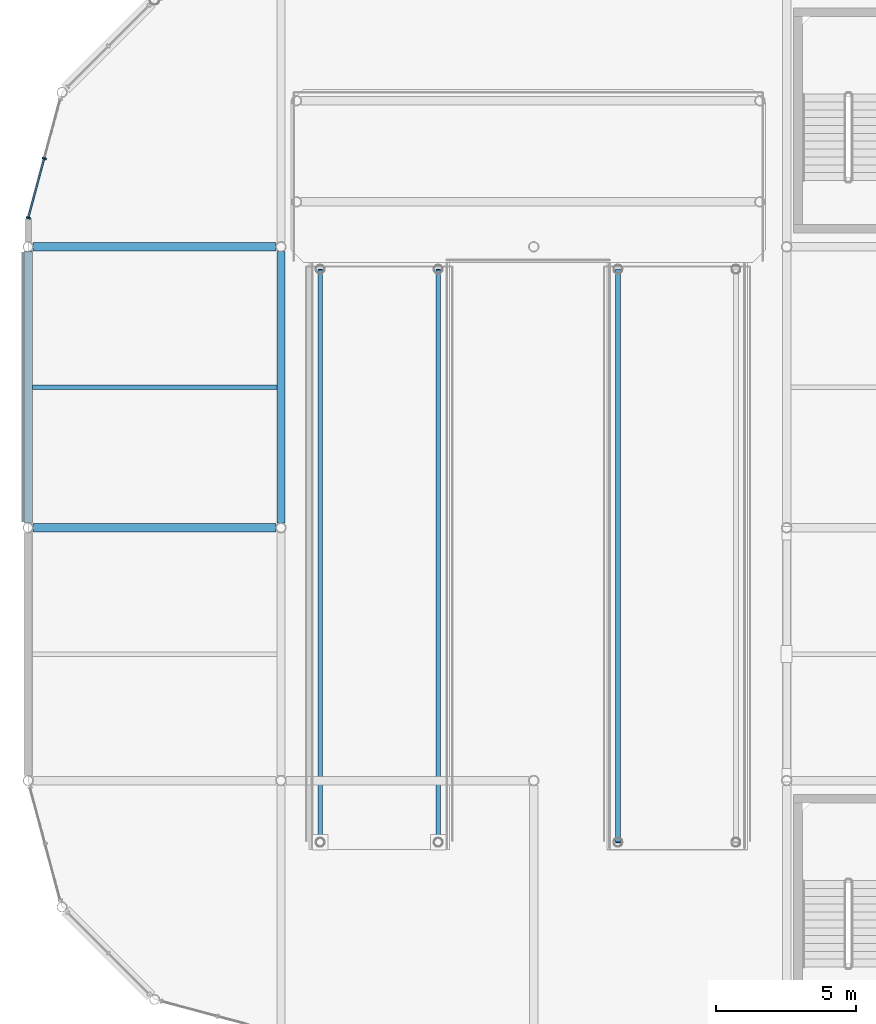
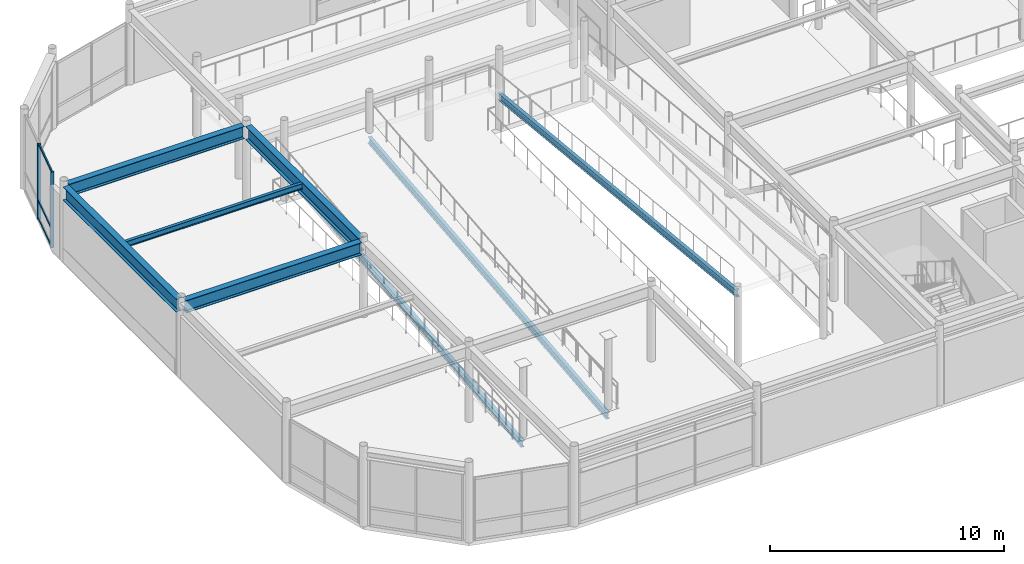
# One storey, part 38 of 108: 8 beams, 5 members, 1 element without a shape of its own.
"""IFC4 building model written with IfcOpenShell, lengths in metres."""

import ifcopenshell
import ifcopenshell.guid

model = None  # the IFC model being written
_history = None  # IfcOwnerHistory: only IFC2X3 demands one
_inside = {}  # id of a spatial element -> (the spatial element, [elements in it])
_under = {}  # id of a project, library or spatial element -> (it, [spatial elements below it])
_declared = {}  # id of a project -> (the project, [libraries it declares])
_typed = {}  # id of a type object -> (the type object, [elements of that type])
_made_of = {}  # id of a material, layer set ... -> (it, [elements and type objects made of it])


def new_model(schema):
    """Start an empty IFC model of exactly this schema.

    Asked for "IFC4X3", IfcOpenShell would pick the latest addendum, in which some entities
    have other attributes; the version numbers below select the first issue.
    IFC2X3 requires an IfcOwnerHistory on every rooted entity: one is made here for all.
    """
    global model, _history
    if schema == "IFC4X3":
        model = ifcopenshell.file(schema_version=(4, 3, 0, 0))
    else:
        model = ifcopenshell.file(schema=schema)
    _inside.clear()
    _under.clear()
    _declared.clear()
    _typed.clear()
    _made_of.clear()
    _history = None
    if model.schema == "IFC2X3":
        org = make("IfcOrganization", Name="unknown")
        user = make(
            "IfcPersonAndOrganization",
            ThePerson=make("IfcPerson", FamilyName="unknown"),
            TheOrganization=org,
        )
        app = make(
            "IfcApplication",
            ApplicationDeveloper=org,
            Version="unknown",
            ApplicationFullName="unknown",
            ApplicationIdentifier="unknown",
        )
        _history = make(
            "IfcOwnerHistory",
            OwningUser=user,
            OwningApplication=app,
            ChangeAction="ADDED",
            CreationDate=0,
        )
    return model


def make(cls, **values):
    """One entity of the class cls with the attributes given. An attribute that is None is left unset."""
    return model.create_entity(
        cls, **{name: value for name, value in values.items() if value is not None}
    )


def rooted(cls, **values):
    """An entity with a GlobalId (a new one), such as an element, a storey or a relation."""
    return make(cls, GlobalId=ifcopenshell.guid.new(), OwnerHistory=_history, **values)


def si_unit(unit_type, name, prefix=None):
    """IfcSIUnit, for example si_unit("LENGTHUNIT", "METRE", prefix="MILLI")."""
    return make("IfcSIUnit", UnitType=unit_type, Prefix=prefix, Name=name)


def assignment(units):
    """IfcUnitAssignment: the units of a project."""
    return None if units is None else make("IfcUnitAssignment", Units=units)


def point(xyz):
    """IfcCartesianPoint."""
    return None if xyz is None else make("IfcCartesianPoint", Coordinates=xyz)


def direction(xyz):
    """IfcDirection."""
    return None if xyz is None else make("IfcDirection", DirectionRatios=xyz)


def frame(location, z_axis=None, x_axis=None):
    """IfcAxis2Placement3D, a coordinate frame: its origin and axes. An axis left out is left unset."""
    return make(
        "IfcAxis2Placement3D",
        Location=point(location),
        Axis=direction(z_axis),
        RefDirection=direction(x_axis),
    )


def frame_2d(location, x_axis=None):
    """IfcAxis2Placement2D, a coordinate frame in the plane: its origin and x axis."""
    return make(
        "IfcAxis2Placement2D", Location=point(location), RefDirection=direction(x_axis)
    )


def origin():
    """The frame at (0, 0, 0) with its axes left unset."""
    return frame((0.0, 0.0, 0.0))


def origin_2d():
    """The frame at (0, 0) in the plane with its x axis left unset."""
    return frame_2d((0.0, 0.0))


def place(relative_to, where):
    """IfcLocalPlacement: puts the frame where relative to a parent placement (None: the world)."""
    return make(
        "IfcLocalPlacement", PlacementRelTo=relative_to, RelativePlacement=where
    )


def context(
    kind, dimensions, precision=None, world=None, true_north=None, identifier=None
):
    """IfcGeometricRepresentationContext, for example the 3D "Model" context."""
    return make(
        "IfcGeometricRepresentationContext",
        ContextIdentifier=identifier,
        ContextType=kind,
        CoordinateSpaceDimension=dimensions,
        Precision=precision,
        WorldCoordinateSystem=world,
        TrueNorth=true_north,
    )


def subcontext(parent, identifier, kind, view, scale=None):
    """IfcGeometricRepresentationSubContext, for example "Body" below "Model"."""
    return make(
        "IfcGeometricRepresentationSubContext",
        ContextIdentifier=identifier,
        ContextType=kind,
        ParentContext=parent,
        TargetScale=scale,
        TargetView=view,
    )


def project(units=None, contexts=None):
    """IfcProject with its units and contexts."""
    return rooted(
        "IfcProject",
        Name="project",
        RepresentationContexts=contexts,
        UnitsInContext=assignment(units),
    )


def spatial(cls, under=None, at=None, **own):
    """A site, building, storey or space (cls), placed at a placement, below another one or the project."""
    s = rooted(cls, ObjectPlacement=at, **own)
    if under is not None:
        _under.setdefault(under.id(), (under, []))[1].append(s)
    return s


def profile(cls, at=None, kind="AREA", **sizes):
    """A parametric profile (cls). Its sizes go by their IFC names, for example OverallWidth=200.0."""
    return make(cls, ProfileType=kind, Position=at, **sizes)


def rectangle(**sizes):
    """IfcRectangleProfileDef."""
    return profile("IfcRectangleProfileDef", **sizes)


def i_section(**sizes):
    """IfcIShapeProfileDef."""
    return profile("IfcIShapeProfileDef", **sizes)


def extrude(swept, where, along, depth):
    """IfcExtrudedAreaSolid: the profile swept, set in the frame where, extruded along a direction by depth."""
    return make(
        "IfcExtrudedAreaSolid",
        SweptArea=swept,
        Position=where,
        ExtrudedDirection=direction(along),
        Depth=depth,
    )


def shape(context_of_items, identifier, shape_type, items):
    """IfcShapeRepresentation: the items that make up one representation, for example the "Body"."""
    return make(
        "IfcShapeRepresentation",
        ContextOfItems=context_of_items,
        RepresentationIdentifier=identifier,
        RepresentationType=shape_type,
        Items=items,
    )


def material(Name=None, Category=None):
    """IfcMaterial."""
    return make("IfcMaterial", Name=Name, Category=Category)


def material_profile(
    of_material, cross_section, Name=None, Category=None, Priority=None
):
    """IfcMaterialProfile: a cross section and its material."""
    return make(
        "IfcMaterialProfile",
        Name=Name,
        Material=of_material,
        Profile=cross_section,
        Priority=Priority,
        Category=Category,
    )


def profile_set(profiles, Name=None, composite=None):
    """IfcMaterialProfileSet."""
    return make(
        "IfcMaterialProfileSet",
        Name=Name,
        MaterialProfiles=profiles,
        CompositeProfile=composite,
    )


def made_of(thing, what):
    """Note that an element or type object is made of a material, layer set ...; save() writes the relation."""
    if what is not None:
        _made_of.setdefault(what.id(), (what, []))[1].append(thing)
    return thing


def type_object(cls, material=None, **own):
    """A type object (cls), such as IfcWallType, which elements share."""
    return made_of(rooted(cls, **own), material)


def element(
    cls,
    number,
    at=None,
    inside=None,
    cuts=None,
    type_object=None,
    material=None,
    context=None,
    identifier="Body",
    shape_type=None,
    held_by="IfcProductDefinitionShape",
    body=None,
    shapes=None,
    **own,
):
    """One element of the class cls, such as IfcWall. Its Tag is "e" and its number.

    at: its placement. inside: the storey or other place that contains it. cuts: it is an
    opening in that element (IfcRelVoidsElement). A single representation is given by context,
    identifier, shape_type and body (its items); several are given by shapes. held_by: the class
    of the entity that holds the representations. save() writes the other relations.
    """
    e = rooted(cls, Tag="e%d" % number, ObjectPlacement=at, **own)
    if body is not None:
        shapes = [shape(context, identifier, shape_type, body)]
    if shapes is not None:
        e.Representation = make(held_by, Representations=shapes)
    if inside is not None:
        _inside.setdefault(inside.id(), (inside, []))[1].append(e)
    if cuts is not None:
        rooted(
            "IfcRelVoidsElement", RelatingBuildingElement=cuts, RelatedOpeningElement=e
        )
    if type_object is not None:
        _typed.setdefault(type_object.id(), (type_object, []))[1].append(e)
    return made_of(e, material)


def aggregate(whole, parts):
    """IfcRelAggregates: a whole, such as a stair, and the parts it consists of."""
    return rooted("IfcRelAggregates", RelatingObject=whole, RelatedObjects=parts)


def save(model, path):
    """Write the relations noted so far, then the file.

    IfcRelAggregates (storeys below a building ...), IfcRelContainedInSpatialStructure (elements
    in a storey), IfcRelDefinesByType, IfcRelAssociatesMaterial and IfcRelDeclares: one each for
    every whole, place, type object, material and project.
    """
    for whole, parts in _under.values():
        aggregate(whole, parts)
    for where, things in _inside.values():
        rooted(
            "IfcRelContainedInSpatialStructure",
            RelatedElements=things,
            RelatingStructure=where,
        )
    for kind, things in _typed.values():
        rooted("IfcRelDefinesByType", RelatedObjects=things, RelatingType=kind)
    for what, things in _made_of.values():
        rooted("IfcRelAssociatesMaterial", RelatedObjects=things, RelatingMaterial=what)
    for by, libraries in _declared.values():
        rooted("IfcRelDeclares", RelatingContext=by, RelatedDefinitions=libraries)
    model.write(path)


model = new_model("IFC4")

# Units and contexts
model_context = context("Model", 3, precision=1e-05, world=origin(), true_north=direction((0.0, 1.0)))
body_context = subcontext(model_context, "Body", "Model", "MODEL_VIEW")
ifc_project = project(units=[si_unit("LENGTHUNIT", "METRE"), si_unit("AREAUNIT", "SQUARE_METRE"), si_unit("VOLUMEUNIT", "CUBIC_METRE"), si_unit("PLANEANGLEUNIT", "RADIAN"), si_unit("MASSUNIT", "GRAM", prefix="KILO")], contexts=[model_context])

# Site, building, storey
site_placement = place(None, origin())
site = spatial("IfcSite", under=ifc_project, at=site_placement, CompositionType="ELEMENT")
building_placement = place(site_placement, origin())
building = spatial("IfcBuilding", under=site, at=building_placement, Name="Suzunagisa Mobility Hub", CompositionType="ELEMENT")
storey_placement = place(building_placement, frame((0.0, 0.0, 9.300048828125)))
storey = spatial("IfcBuildingStorey", under=building, at=storey_placement, Name="L02", CompositionType="ELEMENT", Elevation=9.300048828125)

# Curtain wall, members
ifc_material_1 = material(Name="Thermally Broken Anodized Aluminum and Low-E Glazing", Category="aluminium")
curtain_wall_type = type_object("IfcCurtainWallType", Name="Unitised Curtain Wall CW-42 4500x4000", PredefinedType="USERDEFINED", material=ifc_material_1)
curtain_wall_placement = place(storey_placement, origin())
curtain_wall = element("IfcCurtainWall", 1, at=curtain_wall_placement, inside=storey, type_object=curtain_wall_type, Name="L02 Unitised Curtain Wall CW-70", ObjectType="UNITISED CURTAIN WALL", PredefinedType="USERDEFINED")
ifc_material_2 = material(Name="Anodized Aluminum 6063-T6", Category="aluminium")
ifc_material_profile_1 = material_profile(ifc_material_2, rectangle(XDim=0.06005859375, YDim=0.1201171875, at=origin_2d()), Name="TRAN-60x120")
ifc_profile_set_1 = profile_set([ifc_material_profile_1], Name="Anodized Aluminum 6063-T6")
member_type_1 = type_object("IfcMemberType", Name="Curtain Wall Framing CM-02 TRAN-60x120", PredefinedType="USERDEFINED", material=ifc_profile_set_1)
member_1_placement = place(storey_placement, frame((0.5673828125, 111.117919921875, 0.030029296875), z_axis=(-0.258837087522, -0.965920991657, 0.0), x_axis=(0.965920991657, -0.258837087522, 0.0)))
member_1 = element("IfcMember", 2, at=member_1_placement, type_object=member_type_1, Name="Curtain Wall Transom 70-T2.1", ObjectType="TRANSOM", PredefinedType="USERDEFINED", context=body_context, shape_type="SweptSolid", body=[
    extrude(rectangle(XDim=0.06005859375, YDim=0.1201171875, at=origin_2d()), origin(), (0.0, 0.0, 1.0), 2.134521484375),
])
member_2_placement = place(storey_placement, frame((0.5673828125, 111.117919921875, 0.949951171875), z_axis=(-0.258837087522, -0.965920991657, 0.0), x_axis=(0.965920991657, -0.258837087522, 0.0)))
member_2 = element("IfcMember", 3, at=member_2_placement, type_object=member_type_1, Name="Curtain Wall Transom 70-T2.2", ObjectType="TRANSOM", PredefinedType="USERDEFINED", context=body_context, shape_type="SweptSolid", body=[
    extrude(rectangle(XDim=0.06005859375, YDim=0.1201171875, at=origin_2d()), origin(), (0.0, 0.0, 1.0), 2.134521484375),
])
member_3_placement = place(storey_placement, frame((0.5673828125, 111.117919921875, 3.919921875), z_axis=(-0.258837087522, -0.965920991657, 0.0), x_axis=(0.965920991657, -0.258837087522, 0.0)))
member_3 = element("IfcMember", 4, at=member_3_placement, type_object=member_type_1, Name="Curtain Wall Transom 70-T2.3", ObjectType="TRANSOM", PredefinedType="USERDEFINED", context=body_context, shape_type="SweptSolid", body=[
    extrude(rectangle(XDim=0.06005859375, YDim=0.1201171875, at=origin_2d()), origin(), (0.0, 0.0, 1.0), 2.134521484375),
])
ifc_material_profile_2 = material_profile(ifc_material_2, rectangle(XDim=0.06005859375, YDim=0.14990234375, at=origin_2d()), Name="MULL-60x150")
ifc_profile_set_2 = profile_set([ifc_material_profile_2], Name="Anodized Aluminum 6063-T6")
member_type_2 = type_object("IfcMemberType", Name="Curtain Wall Framing CM-03 MULL-60x150", PredefinedType="MULLION", material=ifc_profile_set_2)
member_4_placement = place(storey_placement, frame((0.57470703125, 111.14501953125, 0.0), z_axis=(0.0, 0.0, 1.0), x_axis=(-0.258814496501, -0.965927045072, 0.0)))
member_4 = element("IfcMember", 5, at=member_4_placement, type_object=member_type_2, Name="Curtain Wall Mullion 70-M2", PredefinedType="MULLION", context=body_context, shape_type="SweptSolid", body=[
    extrude(rectangle(XDim=0.06005859375, YDim=0.14990234375, at=origin_2d()), origin(), (0.0, 0.0, 1.0), 3.949951171875),
])
member_5_placement = place(storey_placement, frame((0.0078125, 109.029052734375, 0.0), z_axis=(0.0, 0.0, 1.0), x_axis=(-0.258814496501, -0.965927045072, 0.0)))
member_5 = element("IfcMember", 6, at=member_5_placement, type_object=member_type_2, Name="Curtain Wall Mullion 70-M3", PredefinedType="MULLION", context=body_context, shape_type="SweptSolid", body=[
    extrude(rectangle(XDim=0.06005859375, YDim=0.14990234375, at=origin_2d()), origin(), (0.0, 0.0, 1.0), 3.949951171875),
])
aggregate(curtain_wall, [member_4, member_5, member_1, member_2, member_3])

# Beams
ifc_material_3 = material(Name="Steel SN400B", Category="steel")
ifc_material_profile_3 = material_profile(ifc_material_3, i_section(OverallWidth=0.175048828125, OverallDepth=0.35009765625, WebThickness=0.007080078125, FlangeThickness=0.010986328125, FilletRadius=0.008056640625, at=origin_2d()), Name="H-350x175x7x11")
ifc_profile_set_3 = profile_set([ifc_material_profile_3], Name="Steel SN400B")
beam_type_1 = type_object("IfcBeamType", Name="Steel Beam BM-03 H-350x175x7x11", PredefinedType="JOIST", material=ifc_profile_set_3)
for number, where, z_axis, x_axis, name in (
    (7, (10.39990234375, 86.800048828125, -0.4091796875), (0.0, 0.99498968204, 0.099977660672), (-1.0, 0.0, 0.0), "L02 Vehicle Ramp Stringer Beam VR-05-F1-2321"),
    (8, (14.60009765625, 86.800048828125, -0.4091796875), (0.0, 0.99498968204, 0.099977660672), (-1.0, 0.0, 0.0), "L02 Vehicle Ramp Stringer Beam VR-05-F1-2322"),
    (9, (21.0, 107.199951171875, 1.69091796875), (0.0, -0.994990866518, 0.099965871902), (1.0, 0.0, 0.0), "L02 Vehicle Ramp Stringer Beam VR-05-F2-2323"),
):
    element("IfcBeam", number, at=place(storey_placement, frame(where, z_axis=z_axis, x_axis=x_axis)), inside=storey, type_object=beam_type_1, Name=name, PredefinedType="JOIST", context=body_context, shape_type="SweptSolid", body=[
        extrude(i_section(OverallWidth=0.175048828125, OverallDepth=0.35009765625, WebThickness=0.007080078125, FlangeThickness=0.010986328125, FilletRadius=0.008056640625, at=origin_2d()), origin(), (0.0, 0.0, 1.0), 20.502685546875),
    ])
ifc_material_4 = material(Name="Steel SN490B", Category="steel")
ifc_material_profile_4 = material_profile(ifc_material_4, i_section(OverallWidth=0.300048828125, OverallDepth=0.64990234375, WebThickness=0.012939453125, FlangeThickness=0.02197265625, FilletRadius=0.01611328125, at=origin_2d()), Name="H-650x300x13x22")
ifc_profile_set_4 = profile_set([ifc_material_profile_4], Name="Steel SN490B")
beam_type_2 = type_object("IfcBeamType", Name="Steel Beam BM-10 H-650x300x13x22", PredefinedType="BEAM", material=ifc_profile_set_4)
for number, where, z_axis, x_axis, name in (
    (10, (0.173828125, 98.0, 3.625), (1.0, 0.0, 0.0), (0.0, 1.0, 0.0), "L02 Primary Girder GX-526"),
    (11, (0.173828125, 108.0, 3.625), (1.0, 0.0, 0.0), (0.0, 1.0, 0.0), "L02 Primary Girder GX-528"),
):
    element("IfcBeam", number, at=place(storey_placement, frame(where, z_axis=z_axis, x_axis=x_axis)), inside=storey, type_object=beam_type_2, Name=name, PredefinedType="BEAM", context=body_context, shape_type="SweptSolid", body=[
        extrude(i_section(OverallWidth=0.300048828125, OverallDepth=0.64990234375, WebThickness=0.012939453125, FlangeThickness=0.02197265625, FilletRadius=0.01611328125, at=origin_2d()), origin(), (0.0, 0.0, 1.0), 8.65234375),
    ])
ifc_material_profile_5 = material_profile(ifc_material_4, i_section(OverallWidth=0.300048828125, OverallDepth=0.699951171875, WebThickness=0.012939453125, FlangeThickness=0.02392578125, FilletRadius=0.01806640625, at=origin_2d()), Name="H-700x300x13x24")
ifc_profile_set_5 = profile_set([ifc_material_profile_5], Name="Steel SN490B")
beam_type_3 = type_object("IfcBeamType", Name="Steel Beam BM-11 H-700x300x13x24", PredefinedType="BEAM", material=ifc_profile_set_5)
for number, where, z_axis, x_axis, name in (
    (12, (0.0, 98.173828125, 3.599853515625), (0.0, 1.0, 0.0), (-1.0, 0.0, 0.0), "L02 Primary Girder GY-534"),
    (13, (9.0, 98.173828125, 3.599853515625), (0.0, 1.0, 0.0), (-1.0, 0.0, 0.0), "L02 Primary Girder GY-537"),
):
    element("IfcBeam", number, at=place(storey_placement, frame(where, z_axis=z_axis, x_axis=x_axis)), inside=storey, type_object=beam_type_3, Name=name, PredefinedType="BEAM", context=body_context, shape_type="SweptSolid", body=[
        extrude(i_section(OverallWidth=0.300048828125, OverallDepth=0.699951171875, WebThickness=0.012939453125, FlangeThickness=0.02392578125, FilletRadius=0.01806640625, at=origin_2d()), origin(), (0.0, 0.0, 1.0), 9.65234375),
    ])
ifc_material_profile_6 = material_profile(ifc_material_3, i_section(OverallWidth=0.14990234375, OverallDepth=0.300048828125, WebThickness=0.006591796875, FlangeThickness=0.009033203125, FilletRadius=0.008056640625, at=origin_2d()), Name="H-300x150x6.5x9")
ifc_profile_set_6 = profile_set([ifc_material_profile_6], Name="Steel SN400B")
beam_type_4 = type_object("IfcBeamType", Name="Steel Beam BM-24 H-300x150x6.5x9", PredefinedType="JOIST", material=ifc_profile_set_6)
beam_placement = place(storey_placement, frame((0.14990234375, 103.0, 3.800048828125), z_axis=(1.0, 0.0, 0.0), x_axis=(0.0, 1.0, 0.0)))
element("IfcBeam", 14, at=beam_placement, inside=storey, type_object=beam_type_4, Name="L02 Composite Floor Joist J-551", PredefinedType="JOIST", context=body_context, shape_type="SweptSolid", body=[
    extrude(i_section(OverallWidth=0.14990234375, OverallDepth=0.300048828125, WebThickness=0.006591796875, FlangeThickness=0.009033203125, FilletRadius=0.008056640625, at=origin_2d()), origin(), (0.0, 0.0, 1.0), 8.7001953125),
])

save(model, "model.ifc")
